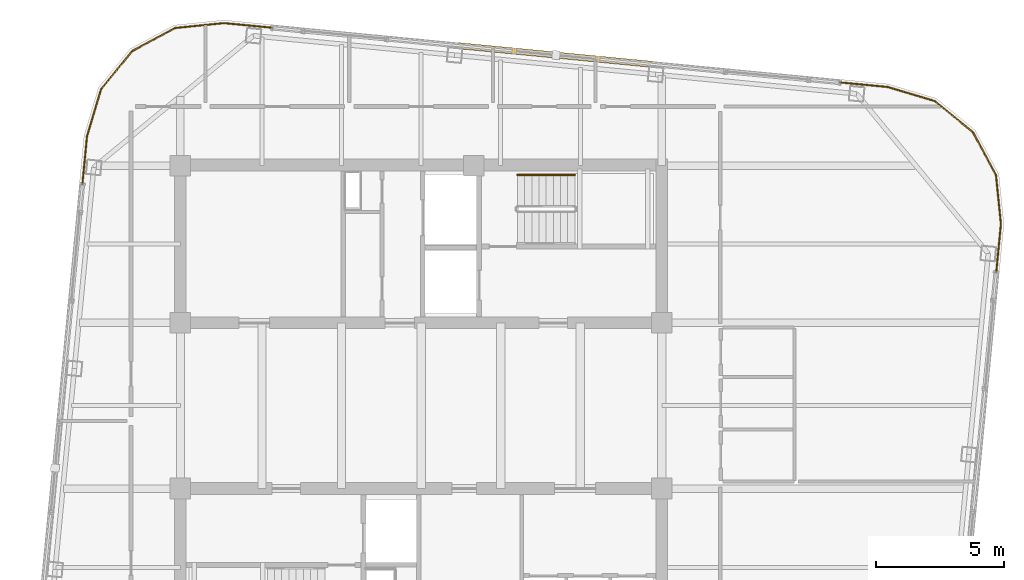
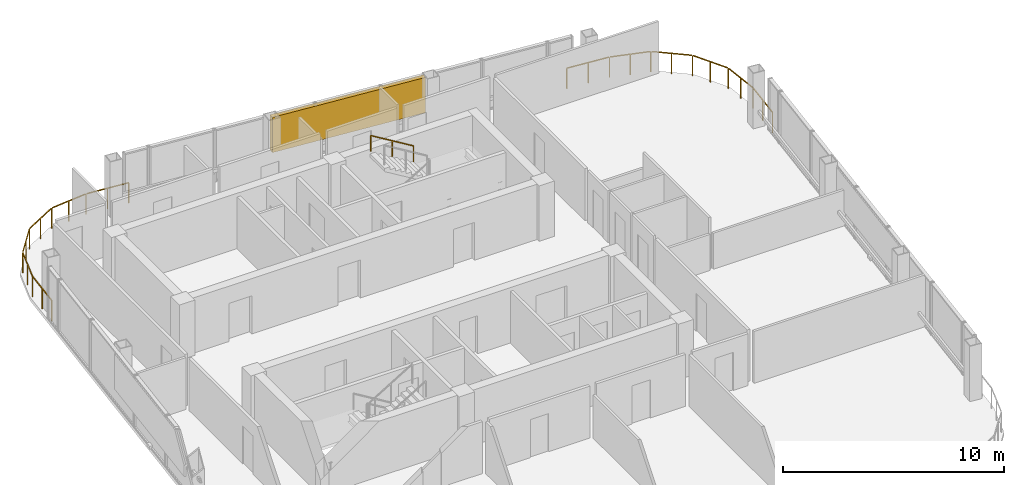
# One storey, part 27 of 27: 3 railings, 1 shading device.
"""IFC4 building model written with IfcOpenShell, lengths in metres."""

from ifc_helpers import new_model, si_unit, direction, frame, origin, origin_2d, place, context, subcontext, project, spatial, rectangle, extrude, material, type_object, element, save


model = new_model("IFC4")

# Units and contexts
model_context = context("Model", 3, precision=1e-05, world=origin(), true_north=direction((0.0, 1.0)))
body_context = subcontext(model_context, "Body", "Model", "MODEL_VIEW")
ifc_project = project(units=[si_unit("LENGTHUNIT", "METRE"), si_unit("AREAUNIT", "SQUARE_METRE"), si_unit("VOLUMEUNIT", "CUBIC_METRE"), si_unit("PLANEANGLEUNIT", "RADIAN"), si_unit("MASSUNIT", "GRAM", prefix="KILO")], contexts=[model_context])

# Site, building, storey
site_placement = place(None, origin())
site = spatial("IfcSite", under=ifc_project, at=site_placement, CompositionType="ELEMENT")
building_placement = place(site_placement, origin())
building = spatial("IfcBuilding", under=site, at=building_placement, Name="Qhalaya Broadcast Tower", CompositionType="ELEMENT")
storey_placement = place(building_placement, frame((0.0, 0.0, 258.10009765625)))
storey = spatial("IfcBuildingStorey", under=building, at=storey_placement, Name="L76", CompositionType="ELEMENT", Elevation=258.10009765625)

# Railings
ifc_material_1 = material(Name="Powder-Coated Galvanised Steel", Category="steel")
railing_type_1 = type_object("IfcRailingType", Name="Stair Wall Handrail 900", PredefinedType="HANDRAIL", material=ifc_material_1)
railing_1_placement = place(storey_placement, frame((5.989990234375, 9.590087890625, 1.6943359375)))
element("IfcRailing", 1, at=railing_1_placement, inside=storey, type_object=railing_type_1, Name="L76 ST-1 Stair Handrail 2", PredefinedType="HANDRAIL", context=body_context, shape_type="SweptSolid", body=[
    extrude(rectangle(XDim=0.048095703125, YDim=0.048095703125, at=origin_2d()), frame((0.0, 0.0, 0.8759765625), z_axis=(-0.855553338991, 0.0, 0.51771467445), x_axis=(0.0, -1.0, 0.0)), (0.0, 0.0, 1.0), 2.6181640625),
    extrude(rectangle(XDim=0.0419921875, YDim=0.0419921875, at=origin_2d()), origin(), (0.0, 0.0, 1.0), 0.849853515625),
    extrude(rectangle(XDim=0.0419921875, YDim=0.0419921875, at=origin_2d()), frame((-1.1201171875, 0.0, 0.677734375)), (0.0, 0.0, 1.0), 0.849853515625),
    extrude(rectangle(XDim=0.0419921875, YDim=0.0419921875, at=origin_2d()), frame((-2.239990234375, 0.0, 1.35546875)), (0.0, 0.0, 1.0), 0.849853515625),
])
railing_type_2 = type_object("IfcRailingType", Name="Terrace, Sky-Pool & Lookout Glass Balustrade 1150", PredefinedType="BALUSTRADE", material=ifc_material_1)
railing_2_placement = place(storey_placement, frame((-13.2158203125, 8.99365234375, 0.0)))
element("IfcRailing", 2, at=railing_2_placement, inside=storey, type_object=railing_type_2, Name="L76 Rounded Corner Perimeter Guard 03", PredefinedType="BALUSTRADE", context=body_context, shape_type="SweptSolid", body=[
    extrude(rectangle(XDim=0.048095703125, YDim=0.048095703125, at=origin_2d()), frame((0.0, 0.0, 1.1259765625), z_axis=(0.095896889673, 0.995391273094, 0.0), x_axis=(-0.995391273094, 0.095896889673, 0.0)), (0.0, 0.0, 1.0), 2.08935546875),
    extrude(rectangle(XDim=0.048095703125, YDim=0.048095703125, at=origin_2d()), frame((0.21142578125, 2.135986328125, 1.1259765625), z_axis=(0.288096282124, 0.957601447485, 0.0), x_axis=(-0.957601447485, 0.288096282124, 0.0)), (0.0, 0.0, 1.0), 1.857421875),
    extrude(rectangle(XDim=0.048095703125, YDim=0.048095703125, at=origin_2d()), frame((0.773193359375, 3.96484375, 1.1259765625), z_axis=(0.63274871945, 0.774357190213, 0.0), x_axis=(-0.774357190213, 0.63274871945, 0.0)), (0.0, 0.0, 1.0), 1.845703125),
    extrude(rectangle(XDim=0.048095703125, YDim=0.048095703125, at=origin_2d()), frame((1.984619140625, 5.429931640625, 1.1259765625), z_axis=(0.880878554058, 0.473342342286, 0.0), x_axis=(-0.473342342286, 0.880878554058, 0.0)), (0.0, 0.0, 1.0), 1.845458984375),
    extrude(rectangle(XDim=0.048095703125, YDim=0.048095703125, at=origin_2d()), frame((3.66455078125, 6.320068359375, 1.1259765625), z_axis=(0.994980230152, 0.100071682341, 0.0), x_axis=(-0.100071682341, 0.994980230152, 0.0)), (0.0, 0.0, 1.0), 1.857421875),
    extrude(rectangle(XDim=0.048095703125, YDim=0.048095703125, at=origin_2d()), frame((5.570068359375, 6.506103515625, 1.1259765625), z_axis=(0.995402268864, -0.095782687057, 0.0), x_axis=(0.095782687057, 0.995402268864, 0.0)), (0.0, 0.0, 1.0), 2.08935546875),
    extrude(rectangle(XDim=0.0419921875, YDim=0.0419921875, at=origin_2d()), origin(), (0.0, 0.0, 1.0), 1.099853515625),
    extrude(rectangle(XDim=0.0419921875, YDim=0.0419921875, at=origin_2d()), frame((0.1015625, 1.05419921875, 0.0)), (0.0, 0.0, 1.0), 1.099853515625),
    extrude(rectangle(XDim=0.0419921875, YDim=0.0419921875, at=origin_2d()), frame((0.203125, 2.1083984375, 0.0)), (0.0, 0.0, 1.0), 1.099853515625),
    extrude(rectangle(XDim=0.0419921875, YDim=0.0419921875, at=origin_2d()), frame((0.47900390625, 3.025390625, 0.0)), (0.0, 0.0, 1.0), 1.099853515625),
    extrude(rectangle(XDim=0.0419921875, YDim=0.0419921875, at=origin_2d()), frame((0.7548828125, 3.9423828125, 0.0)), (0.0, 0.0, 1.0), 1.099853515625),
    extrude(rectangle(XDim=0.0419921875, YDim=0.0419921875, at=origin_2d()), frame((1.35693359375, 4.67919921875, 0.0)), (0.0, 0.0, 1.0), 1.099853515625),
    extrude(rectangle(XDim=0.0419921875, YDim=0.0419921875, at=origin_2d()), frame((1.959228515625, 5.416259765625, 0.0)), (0.0, 0.0, 1.0), 1.099853515625),
    extrude(rectangle(XDim=0.0419921875, YDim=0.0419921875, at=origin_2d()), frame((2.79736328125, 5.86669921875, 0.0)), (0.0, 0.0, 1.0), 1.099853515625),
    extrude(rectangle(XDim=0.0419921875, YDim=0.0419921875, at=origin_2d()), frame((3.6357421875, 6.317138671875, 0.0)), (0.0, 0.0, 1.0), 1.099853515625),
    extrude(rectangle(XDim=0.0419921875, YDim=0.0419921875, at=origin_2d()), frame((4.58837890625, 6.4130859375, 0.0)), (0.0, 0.0, 1.0), 1.099853515625),
    extrude(rectangle(XDim=0.0419921875, YDim=0.0419921875, at=origin_2d()), frame((5.541259765625, 6.5087890625, 0.0)), (0.0, 0.0, 1.0), 1.099853515625),
    extrude(rectangle(XDim=0.0419921875, YDim=0.0419921875, at=origin_2d()), frame((6.595458984375, 6.4072265625, 0.0)), (0.0, 0.0, 1.0), 1.099853515625),
    extrude(rectangle(XDim=0.0419921875, YDim=0.0419921875, at=origin_2d()), frame((7.649658203125, 6.305908203125, 0.0)), (0.0, 0.0, 1.0), 1.099853515625),
])
railing_3_placement = place(storey_placement, frame((16.07373046875, 13.2158203125, 0.0)))
element("IfcRailing", 3, at=railing_3_placement, inside=storey, type_object=railing_type_2, Name="L76 Rounded Corner Perimeter Guard 04", PredefinedType="BALUSTRADE", context=body_context, shape_type="SweptSolid", body=[
    extrude(rectangle(XDim=0.048095703125, YDim=0.048095703125, at=origin_2d()), frame((0.0, 0.0, 1.1259765625), z_axis=(0.995391273094, -0.095896889673, 0.0), x_axis=(0.095896889673, 0.995391273094, 0.0)), (0.0, 0.0, 1.0), 2.08935546875),
    extrude(rectangle(XDim=0.048095703125, YDim=0.048095703125, at=origin_2d()), frame((2.135986328125, -0.21142578125, 1.1259765625), z_axis=(0.957601447485, -0.288096282124, 0.0), x_axis=(0.288096282124, 0.957601447485, 0.0)), (0.0, 0.0, 1.0), 1.857421875),
    extrude(rectangle(XDim=0.048095703125, YDim=0.048095703125, at=origin_2d()), frame((3.96484375, -0.773193359375, 1.1259765625), z_axis=(0.774357190213, -0.63274871945, 0.0), x_axis=(0.63274871945, 0.774357190213, 0.0)), (0.0, 0.0, 1.0), 1.845703125),
    extrude(rectangle(XDim=0.048095703125, YDim=0.048095703125, at=origin_2d()), frame((5.429931640625, -1.984619140625, 1.1259765625), z_axis=(0.473242797018, -0.880932037714, 0.0), x_axis=(0.880932037714, 0.473242797018, 0.0)), (0.0, 0.0, 1.0), 1.845458984375),
    extrude(rectangle(XDim=0.048095703125, YDim=0.048095703125, at=origin_2d()), frame((6.31982421875, -3.66455078125, 1.1259765625), z_axis=(0.100197883148, -0.994967529225, 0.0), x_axis=(0.994967529225, 0.100197883148, 0.0)), (0.0, 0.0, 1.0), 1.857421875),
    extrude(rectangle(XDim=0.048095703125, YDim=0.048095703125, at=origin_2d()), frame((6.506103515625, -5.570068359375, 1.1259765625), z_axis=(-0.095896889673, -0.995391273094, 0.0), x_axis=(0.995391273094, -0.095896889673, 0.0)), (0.0, 0.0, 1.0), 2.08935546875),
    extrude(rectangle(XDim=0.0419921875, YDim=0.0419921875, at=origin_2d()), origin(), (0.0, 0.0, 1.0), 1.099853515625),
    extrude(rectangle(XDim=0.0419921875, YDim=0.0419921875, at=origin_2d()), frame((1.05419921875, -0.1015625, 0.0)), (0.0, 0.0, 1.0), 1.099853515625),
    extrude(rectangle(XDim=0.0419921875, YDim=0.0419921875, at=origin_2d()), frame((2.1083984375, -0.203125, 0.0)), (0.0, 0.0, 1.0), 1.099853515625),
    extrude(rectangle(XDim=0.0419921875, YDim=0.0419921875, at=origin_2d()), frame((3.025390625, -0.47900390625, 0.0)), (0.0, 0.0, 1.0), 1.099853515625),
    extrude(rectangle(XDim=0.0419921875, YDim=0.0419921875, at=origin_2d()), frame((3.9423828125, -0.7548828125, 0.0)), (0.0, 0.0, 1.0), 1.099853515625),
    extrude(rectangle(XDim=0.0419921875, YDim=0.0419921875, at=origin_2d()), frame((4.67919921875, -1.35693359375, 0.0)), (0.0, 0.0, 1.0), 1.099853515625),
    extrude(rectangle(XDim=0.0419921875, YDim=0.0419921875, at=origin_2d()), frame((5.416259765625, -1.959228515625, 0.0)), (0.0, 0.0, 1.0), 1.099853515625),
    extrude(rectangle(XDim=0.0419921875, YDim=0.0419921875, at=origin_2d()), frame((5.86669921875, -2.79736328125, 0.0)), (0.0, 0.0, 1.0), 1.099853515625),
    extrude(rectangle(XDim=0.0419921875, YDim=0.0419921875, at=origin_2d()), frame((6.31689453125, -3.6357421875, 0.0)), (0.0, 0.0, 1.0), 1.099853515625),
    extrude(rectangle(XDim=0.0419921875, YDim=0.0419921875, at=origin_2d()), frame((6.412841796875, -4.58837890625, 0.0)), (0.0, 0.0, 1.0), 1.099853515625),
    extrude(rectangle(XDim=0.0419921875, YDim=0.0419921875, at=origin_2d()), frame((6.5087890625, -5.541259765625, 0.0)), (0.0, 0.0, 1.0), 1.099853515625),
    extrude(rectangle(XDim=0.0419921875, YDim=0.0419921875, at=origin_2d()), frame((6.4072265625, -6.595458984375, 0.0)), (0.0, 0.0, 1.0), 1.099853515625),
    extrude(rectangle(XDim=0.0419921875, YDim=0.0419921875, at=origin_2d()), frame((6.3056640625, -7.649658203125, 0.0)), (0.0, 0.0, 1.0), 1.099853515625),
])

# Shading device
ifc_material_2 = material(Name="Fired Architectural Terracotta", Category="masonry")
shading_device_type = type_object("IfcShadingDeviceType", Name="Terracotta Baguette Solar Screen Assembly TBS-01", PredefinedType="USERDEFINED", material=ifc_material_2)
shading_device_placement = place(storey_placement, frame((5.25390625, 14.2578125, 0.80078125), z_axis=(0.0, 0.0, 1.0), x_axis=(-0.995396198367, 0.09584575252, 0.0)))
element("IfcShadingDevice", 4, at=shading_device_placement, inside=storey, type_object=shading_device_type, Name="L76 Fired Terracotta Baguette Screen N", ObjectType="BAGUETTE", PredefinedType="USERDEFINED", context=body_context, shape_type="SweptSolid", body=[
    extrude(rectangle(XDim=7.60009765625, YDim=0.239990234375, at=origin_2d()), origin(), (0.0, 0.0, 1.0), 1.945068359375),
])

save(model, "model.ifc")
